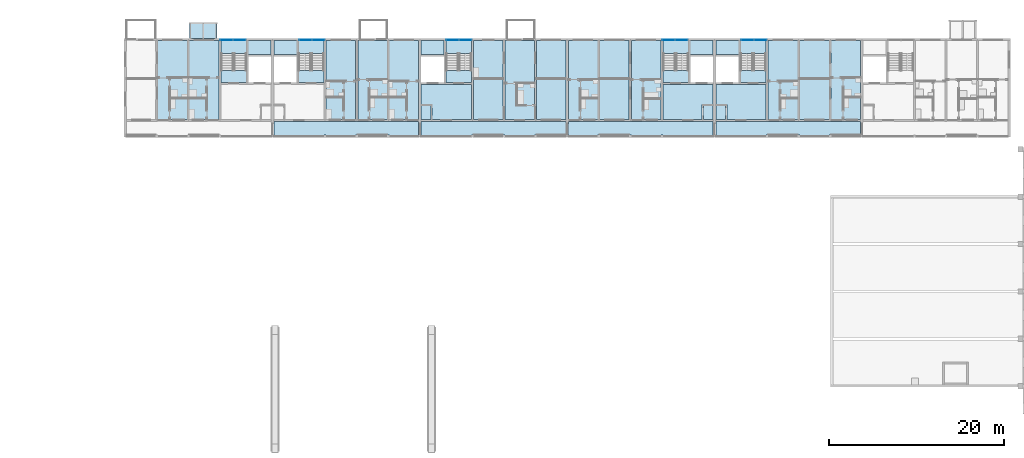
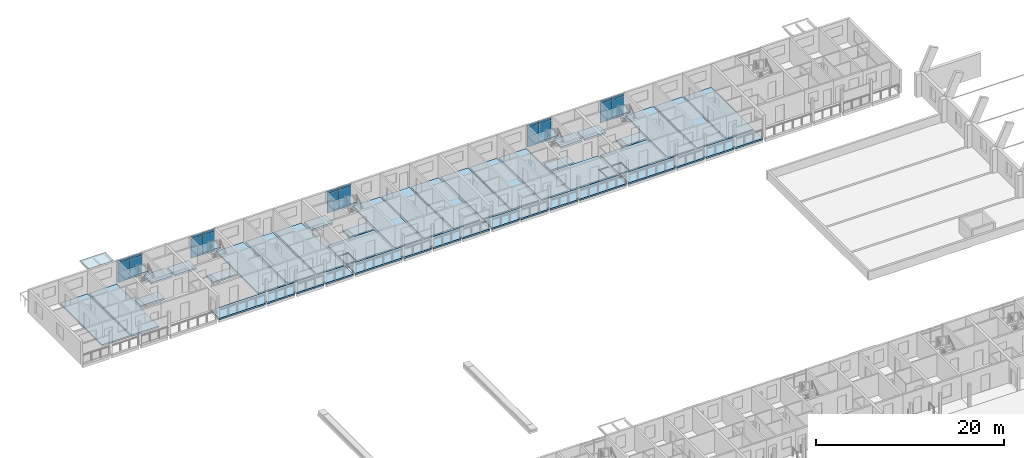
# One storey, part 33 of 115: 40 slabs, 20 plates, 10 elements without a shape of their own.
"""IFC4 building model written with IfcOpenShell, lengths in metres."""

from ifc_helpers import new_model, si_unit, direction, frame, origin, origin_2d, place, context, subcontext, project, spatial, polyline, rectangle, outline, extrude, material, layer, layer_set, type_object, element, aggregate, save


model = new_model("IFC4")

# Units and contexts
model_context = context("Model", 3, precision=1e-05, world=origin(), true_north=direction((0.0, 1.0)))
body_context = subcontext(model_context, "Body", "Model", "MODEL_VIEW")
ifc_project = project(units=[si_unit("LENGTHUNIT", "METRE"), si_unit("AREAUNIT", "SQUARE_METRE"), si_unit("VOLUMEUNIT", "CUBIC_METRE"), si_unit("PLANEANGLEUNIT", "RADIAN"), si_unit("MASSUNIT", "GRAM", prefix="KILO")], contexts=[model_context])

# Site, building, storey
site_placement = place(None, origin())
site = spatial("IfcSite", under=ifc_project, at=site_placement, CompositionType="ELEMENT")
building_placement = place(site_placement, origin())
building = spatial("IfcBuilding", under=site, at=building_placement, Name="Ridgestep Commons", CompositionType="ELEMENT")
storey_placement = place(building_placement, frame((0.0, 0.0, 6.0)))
storey = spatial("IfcBuildingStorey", under=building, at=storey_placement, Name="L02", CompositionType="ELEMENT", Elevation=6.0)

# Slabs
ifc_material_1 = material(Name="Precast concrete C40/50", Category="concrete")
ifc_layer_1 = layer(ifc_material_1, 0.199951171875)
ifc_layer_set_1 = layer_set([ifc_layer_1], Name="Gallery slab 200")
slab_type_1 = type_object("IfcSlabType", Name="Gallery slab 200", PredefinedType="FLOOR", material=ifc_layer_set_1)
slab_1_placement = place(storey_placement, frame((0.0, 0.0, -0.199951171875)))
element("IfcSlab", 1, at=slab_1_placement, inside=storey, type_object=slab_type_1, Name="Gallery slab B2 L02", PredefinedType="FLOOR", context=body_context, shape_type="SweptSolid", body=[
    extrude(outline(polyline([(45.449951171875, 67.800048828125), (28.949951171875, 67.800048828125), (28.949951171875, 66.0), (34.675048828125, 66.0), (34.675048828125, 66.25), (34.925048828125, 66.25), (34.925048828125, 66.0), (38.27490234375, 66.0), (38.27490234375, 66.25), (38.52490234375, 66.25), (38.52490234375, 66.0), (41.875, 66.0), (41.875, 66.25), (42.125, 66.25), (42.125, 66.0), (45.449951171875, 66.0), (45.449951171875, 67.800048828125)])), origin(), (0.0, 0.0, 1.0), 0.199951171875),
])
slab_2_placement = place(storey_placement, frame((0.0, 0.0, -0.199951171875)))
element("IfcSlab", 2, at=slab_2_placement, inside=storey, type_object=slab_type_1, Name="Gallery slab B3 L02", PredefinedType="FLOOR", context=body_context, shape_type="SweptSolid", body=[
    extrude(outline(polyline([(62.25, 67.800048828125), (45.75, 67.800048828125), (45.75, 66.0), (51.47509765625, 66.0), (51.47509765625, 66.25), (51.72509765625, 66.25), (51.72509765625, 66.0), (55.074951171875, 66.0), (55.074951171875, 66.25), (55.324951171875, 66.25), (55.324951171875, 66.0), (58.675048828125, 66.0), (58.675048828125, 66.25), (58.925048828125, 66.25), (58.925048828125, 66.0), (62.25, 66.0), (62.25, 67.800048828125)])), origin(), (0.0, 0.0, 1.0), 0.199951171875),
])
slab_3_placement = place(storey_placement, frame((0.0, 0.0, -0.199951171875)))
element("IfcSlab", 3, at=slab_3_placement, inside=storey, type_object=slab_type_1, Name="Gallery slab B4 L02", PredefinedType="FLOOR", context=body_context, shape_type="SweptSolid", body=[
    extrude(outline(polyline([(79.050048828125, 67.800048828125), (62.550048828125, 67.800048828125), (62.550048828125, 66.0), (65.875, 66.0), (65.875, 66.25), (66.125, 66.25), (66.125, 66.0), (69.47509765625, 66.0), (69.47509765625, 66.25), (69.72509765625, 66.25), (69.72509765625, 66.0), (73.074951171875, 66.0), (73.074951171875, 66.25), (73.324951171875, 66.25), (73.324951171875, 66.0), (79.050048828125, 66.0), (79.050048828125, 67.800048828125)])), origin(), (0.0, 0.0, 1.0), 0.199951171875),
])
slab_4_placement = place(storey_placement, frame((0.0, 0.0, -0.199951171875)))
element("IfcSlab", 4, at=slab_4_placement, inside=storey, type_object=slab_type_1, Name="Gallery slab B5 L02", PredefinedType="FLOOR", context=body_context, shape_type="SweptSolid", body=[
    extrude(outline(polyline([(95.85009765625, 67.800048828125), (79.35009765625, 67.800048828125), (79.35009765625, 66.0), (85.074951171875, 66.0), (85.074951171875, 66.25), (85.324951171875, 66.25), (85.324951171875, 66.0), (88.675048828125, 66.0), (88.675048828125, 66.25), (88.925048828125, 66.25), (88.925048828125, 66.0), (92.27490234375, 66.0), (92.27490234375, 66.25), (92.52490234375, 66.25), (92.52490234375, 66.0), (95.85009765625, 66.0), (95.85009765625, 67.800048828125)])), origin(), (0.0, 0.0, 1.0), 0.199951171875),
])

# Curtain wall, plates
ifc_material_2 = material(Name="Aluminium 6063-T6 and glass", Category="aluminium")
curtain_wall_type = type_object("IfcCurtainWallType", Name="Curtain wall stair strip", PredefinedType="NOTDEFINED", material=ifc_material_2)
curtain_wall_1_placement = place(storey_placement, origin())
curtain_wall_1 = element("IfcCurtainWall", 5, at=curtain_wall_1_placement, inside=storey, type_object=curtain_wall_type, Name="Curtain wall B1C level 02", PredefinedType="NOTDEFINED")
ifc_material_3 = material(Name="Glass laminated 6/16/6 low-emissivity", Category="glass")
ifc_layer_2 = layer(ifc_material_3, 0.028076171875)
ifc_layer_set_2 = layer_set([ifc_layer_2], Name="Glazing panel 28")
plate_type_1 = type_object("IfcPlateType", Name="Glazing panel 28", PredefinedType="CURTAIN_PANEL", material=ifc_layer_set_2)
plate_1_placement = place(storey_placement, frame((23.5712890625, 77.080078125, 0.06005859375), z_axis=(0.0, 0.0, 1.0), x_axis=(1.0, 0.0, 0.0)))
plate_1 = element("IfcPlate", 6, at=plate_1_placement, type_object=plate_type_1, Name="CW1 panel 1.1", PredefinedType="CURTAIN_PANEL", context=body_context, shape_type="SweptSolid", body=[
    extrude(rectangle(XDim=1.422607421875, YDim=0.028076171875, at=origin_2d()), origin(), (0.0, 0.0, 1.0), 2.5),
])
plate_2_placement = place(storey_placement, frame((25.0537109375, 77.080078125, 0.06005859375), z_axis=(0.0, 0.0, 1.0), x_axis=(1.0, 0.0, 0.0)))
plate_2 = element("IfcPlate", 7, at=plate_2_placement, type_object=plate_type_1, Name="CW1 panel 2.1", PredefinedType="CURTAIN_PANEL", context=body_context, shape_type="SweptSolid", body=[
    extrude(rectangle(XDim=1.422607421875, YDim=0.028076171875, at=origin_2d()), origin(), (0.0, 0.0, 1.0), 2.5),
])

curtain_wall_2_placement = place(storey_placement, origin())
curtain_wall_2 = element("IfcCurtainWall", 8, at=curtain_wall_2_placement, inside=storey, type_object=curtain_wall_type, Name="Curtain wall B2C level 02", PredefinedType="NOTDEFINED")
plate_3_placement = place(storey_placement, frame((32.546142578125, 77.080078125, 0.06005859375), z_axis=(0.0, 0.0, 1.0), x_axis=(1.0, 0.0, 0.0)))
plate_3 = element("IfcPlate", 9, at=plate_3_placement, type_object=plate_type_1, Name="CW1 panel 1.1", PredefinedType="CURTAIN_PANEL", context=body_context, shape_type="SweptSolid", body=[
    extrude(rectangle(XDim=1.422607421875, YDim=0.028076171875, at=origin_2d()), origin(), (0.0, 0.0, 1.0), 2.5),
])
plate_4_placement = place(storey_placement, frame((34.02880859375, 77.080078125, 0.06005859375), z_axis=(0.0, 0.0, 1.0), x_axis=(1.0, 0.0, 0.0)))
plate_4 = element("IfcPlate", 10, at=plate_4_placement, type_object=plate_type_1, Name="CW1 panel 2.1", PredefinedType="CURTAIN_PANEL", context=body_context, shape_type="SweptSolid", body=[
    extrude(rectangle(XDim=1.422607421875, YDim=0.028076171875, at=origin_2d()), origin(), (0.0, 0.0, 1.0), 2.5),
])

curtain_wall_3_placement = place(storey_placement, origin())
curtain_wall_3 = element("IfcCurtainWall", 11, at=curtain_wall_3_placement, inside=storey, type_object=curtain_wall_type, Name="Curtain wall B3C level 02", PredefinedType="NOTDEFINED")
plate_5_placement = place(storey_placement, frame((49.34619140625, 77.080078125, 0.06005859375), z_axis=(0.0, 0.0, 1.0), x_axis=(1.0, 0.0, 0.0)))
plate_5 = element("IfcPlate", 12, at=plate_5_placement, type_object=plate_type_1, Name="CW1 panel 1.1", PredefinedType="CURTAIN_PANEL", context=body_context, shape_type="SweptSolid", body=[
    extrude(rectangle(XDim=1.422607421875, YDim=0.028076171875, at=origin_2d()), origin(), (0.0, 0.0, 1.0), 2.5),
])
plate_6_placement = place(storey_placement, frame((50.828857421875, 77.080078125, 0.06005859375), z_axis=(0.0, 0.0, 1.0), x_axis=(1.0, 0.0, 0.0)))
plate_6 = element("IfcPlate", 13, at=plate_6_placement, type_object=plate_type_1, Name="CW1 panel 2.1", PredefinedType="CURTAIN_PANEL", context=body_context, shape_type="SweptSolid", body=[
    extrude(rectangle(XDim=1.422607421875, YDim=0.028076171875, at=origin_2d()), origin(), (0.0, 0.0, 1.0), 2.5),
])

curtain_wall_4_placement = place(storey_placement, origin())
curtain_wall_4 = element("IfcCurtainWall", 14, at=curtain_wall_4_placement, inside=storey, type_object=curtain_wall_type, Name="Curtain wall B4C level 02", PredefinedType="NOTDEFINED")
plate_7_placement = place(storey_placement, frame((73.97119140625, 77.080078125, 0.06005859375), z_axis=(0.0, 0.0, 1.0), x_axis=(1.0, 0.0, 0.0)))
plate_7 = element("IfcPlate", 15, at=plate_7_placement, type_object=plate_type_1, Name="CW1 panel 1.1", PredefinedType="CURTAIN_PANEL", context=body_context, shape_type="SweptSolid", body=[
    extrude(rectangle(XDim=1.422607421875, YDim=0.028076171875, at=origin_2d()), origin(), (0.0, 0.0, 1.0), 2.5),
])
plate_8_placement = place(storey_placement, frame((75.453857421875, 77.080078125, 0.06005859375), z_axis=(0.0, 0.0, 1.0), x_axis=(1.0, 0.0, 0.0)))
plate_8 = element("IfcPlate", 16, at=plate_8_placement, type_object=plate_type_1, Name="CW1 panel 2.1", PredefinedType="CURTAIN_PANEL", context=body_context, shape_type="SweptSolid", body=[
    extrude(rectangle(XDim=1.422607421875, YDim=0.028076171875, at=origin_2d()), origin(), (0.0, 0.0, 1.0), 2.5),
])

curtain_wall_5_placement = place(storey_placement, origin())
curtain_wall_5 = element("IfcCurtainWall", 17, at=curtain_wall_5_placement, inside=storey, type_object=curtain_wall_type, Name="Curtain wall B5C level 02", PredefinedType="NOTDEFINED")
plate_9_placement = place(storey_placement, frame((82.9462890625, 77.080078125, 0.06005859375), z_axis=(0.0, 0.0, 1.0), x_axis=(1.0, 0.0, 0.0)))
plate_9 = element("IfcPlate", 18, at=plate_9_placement, type_object=plate_type_1, Name="CW1 panel 1.1", PredefinedType="CURTAIN_PANEL", context=body_context, shape_type="SweptSolid", body=[
    extrude(rectangle(XDim=1.422607421875, YDim=0.028076171875, at=origin_2d()), origin(), (0.0, 0.0, 1.0), 2.5),
])
plate_10_placement = place(storey_placement, frame((84.4287109375, 77.080078125, 0.06005859375), z_axis=(0.0, 0.0, 1.0), x_axis=(1.0, 0.0, 0.0)))
plate_10 = element("IfcPlate", 19, at=plate_10_placement, type_object=plate_type_1, Name="CW1 panel 2.1", PredefinedType="CURTAIN_PANEL", context=body_context, shape_type="SweptSolid", body=[
    extrude(rectangle(XDim=1.422607421875, YDim=0.028076171875, at=origin_2d()), origin(), (0.0, 0.0, 1.0), 2.5),
])

# Slabs
ifc_material_4 = material(Name="Precast concrete C50/60", Category="concrete")
ifc_layer_3 = layer(ifc_material_4, 0.199951171875)
ifc_layer_set_3 = layer_set([ifc_layer_3], Name="Hollow-core plank 200")
slab_type_2 = type_object("IfcSlabType", Name="Hollow-core plank 200", PredefinedType="FLOOR", material=ifc_layer_set_3)
slab_5_placement = place(storey_placement, frame((0.0, 0.0, -0.199951171875)))
element("IfcSlab", 20, at=slab_5_placement, inside=storey, type_object=slab_type_2, Name="Floor plank B1T2 L02", PredefinedType="FLOOR", context=body_context, shape_type="SweptSolid", body=[
    extrude(outline(polyline([(19.10009765625, 68.0), (19.10009765625, 77.0), (15.699951171875, 77.0), (15.699951171875, 68.0), (19.10009765625, 68.0)])), origin(), (0.0, 0.0, 1.0), 0.199951171875),
])
slab_6_placement = place(storey_placement, frame((0.0, 0.0, -0.199951171875)))
element("IfcSlab", 21, at=slab_6_placement, inside=storey, type_object=slab_type_2, Name="Floor plank B1T3 L02", PredefinedType="FLOOR", context=body_context, shape_type="SweptSolid", body=[
    extrude(outline(polyline([(22.675048828125, 68.0), (22.675048828125, 77.0), (19.300048828125, 77.0), (19.300048828125, 68.0), (22.675048828125, 68.0)])), origin(), (0.0, 0.0, 1.0), 0.199951171875),
])
slab_7_placement = place(storey_placement, frame((0.0, 0.0, -0.199951171875)))
element("IfcSlab", 22, at=slab_7_placement, inside=storey, type_object=slab_type_2, Name="Floor plank B2T3 L02", PredefinedType="FLOOR", context=body_context, shape_type="SweptSolid", body=[
    extrude(outline(polyline([(38.27490234375, 68.0), (38.27490234375, 77.0), (34.925048828125, 77.0), (34.925048828125, 68.0), (38.27490234375, 68.0)])), origin(), (0.0, 0.0, 1.0), 0.199951171875),
])
slab_8_placement = place(storey_placement, frame((0.0, 0.0, -0.199951171875)))
element("IfcSlab", 23, at=slab_8_placement, inside=storey, type_object=slab_type_2, Name="Floor plank B2T2 L02", PredefinedType="FLOOR", context=body_context, shape_type="SweptSolid", body=[
    extrude(outline(polyline([(41.89990234375, 68.0), (41.89990234375, 77.0), (38.52490234375, 77.0), (38.52490234375, 68.0), (41.89990234375, 68.0)])), origin(), (0.0, 0.0, 1.0), 0.199951171875),
])
slab_9_placement = place(storey_placement, frame((0.0, 0.0, -0.199951171875)))
element("IfcSlab", 24, at=slab_9_placement, inside=storey, type_object=slab_type_2, Name="Floor plank B2T1 L02", PredefinedType="FLOOR", context=body_context, shape_type="SweptSolid", body=[
    extrude(outline(polyline([(45.449951171875, 68.0), (45.449951171875, 77.0), (42.10009765625, 77.0), (42.10009765625, 68.0), (45.449951171875, 68.0)])), origin(), (0.0, 0.0, 1.0), 0.199951171875),
])
slab_10_placement = place(storey_placement, frame((0.0, 0.0, -0.199951171875)))
element("IfcSlab", 25, at=slab_10_placement, inside=storey, type_object=slab_type_2, Name="Floor plank B3T3 L02", PredefinedType="FLOOR", context=body_context, shape_type="SweptSolid", body=[
    extrude(outline(polyline([(55.10009765625, 68.0), (55.10009765625, 77.0), (51.72509765625, 77.0), (51.72509765625, 68.0), (55.10009765625, 68.0)])), origin(), (0.0, 0.0, 1.0), 0.199951171875),
])
slab_11_placement = place(storey_placement, frame((0.0, 0.0, -0.199951171875)))
element("IfcSlab", 26, at=slab_11_placement, inside=storey, type_object=slab_type_2, Name="Floor plank B3T2 L02", PredefinedType="FLOOR", context=body_context, shape_type="SweptSolid", body=[
    extrude(outline(polyline([(58.699951171875, 68.0), (58.699951171875, 77.0), (55.300048828125, 77.0), (55.300048828125, 68.0), (58.699951171875, 68.0)])), origin(), (0.0, 0.0, 1.0), 0.199951171875),
])
slab_12_placement = place(storey_placement, frame((0.0, 0.0, -0.199951171875)))
element("IfcSlab", 27, at=slab_12_placement, inside=storey, type_object=slab_type_2, Name="Floor plank B3T1 L02", PredefinedType="FLOOR", context=body_context, shape_type="SweptSolid", body=[
    extrude(outline(polyline([(62.25, 68.0), (62.25, 77.0), (58.89990234375, 77.0), (58.89990234375, 68.0), (62.25, 68.0)])), origin(), (0.0, 0.0, 1.0), 0.199951171875),
])
slab_13_placement = place(storey_placement, frame((0.0, 0.0, -0.199951171875)))
element("IfcSlab", 28, at=slab_13_placement, inside=storey, type_object=slab_type_2, Name="Floor plank B4T1 L02", PredefinedType="FLOOR", context=body_context, shape_type="SweptSolid", body=[
    extrude(outline(polyline([(65.89990234375, 68.0), (65.89990234375, 77.0), (62.550048828125, 77.0), (62.550048828125, 68.0), (65.89990234375, 68.0)])), origin(), (0.0, 0.0, 1.0), 0.199951171875),
])
slab_14_placement = place(storey_placement, frame((0.0, 0.0, -0.199951171875)))
element("IfcSlab", 29, at=slab_14_placement, inside=storey, type_object=slab_type_2, Name="Floor plank B4T2 L02", PredefinedType="FLOOR", context=body_context, shape_type="SweptSolid", body=[
    extrude(outline(polyline([(69.47509765625, 68.0), (69.47509765625, 77.0), (66.10009765625, 77.0), (66.10009765625, 68.0), (69.47509765625, 68.0)])), origin(), (0.0, 0.0, 1.0), 0.199951171875),
])
slab_15_placement = place(storey_placement, frame((0.0, 0.0, -0.199951171875)))
element("IfcSlab", 30, at=slab_15_placement, inside=storey, type_object=slab_type_2, Name="Floor plank B4T3 L02", PredefinedType="FLOOR", context=body_context, shape_type="SweptSolid", body=[
    extrude(outline(polyline([(73.074951171875, 68.0), (73.074951171875, 77.0), (69.72509765625, 77.0), (69.72509765625, 68.0), (73.074951171875, 68.0)])), origin(), (0.0, 0.0, 1.0), 0.199951171875),
])
slab_16_placement = place(storey_placement, frame((0.0, 0.0, -0.199951171875)))
element("IfcSlab", 31, at=slab_16_placement, inside=storey, type_object=slab_type_2, Name="Floor plank B5T3 L02", PredefinedType="FLOOR", context=body_context, shape_type="SweptSolid", body=[
    extrude(outline(polyline([(88.699951171875, 68.0), (88.699951171875, 77.0), (85.324951171875, 77.0), (85.324951171875, 68.0), (88.699951171875, 68.0)])), origin(), (0.0, 0.0, 1.0), 0.199951171875),
])
slab_17_placement = place(storey_placement, frame((0.0, 0.0, -0.199951171875)))
element("IfcSlab", 32, at=slab_17_placement, inside=storey, type_object=slab_type_2, Name="Floor plank B5T2 L02", PredefinedType="FLOOR", context=body_context, shape_type="SweptSolid", body=[
    extrude(outline(polyline([(92.300048828125, 68.0), (92.300048828125, 77.0), (88.89990234375, 77.0), (88.89990234375, 68.0), (92.300048828125, 68.0)])), origin(), (0.0, 0.0, 1.0), 0.199951171875),
])
slab_18_placement = place(storey_placement, frame((0.0, 0.0, -0.199951171875)))
element("IfcSlab", 33, at=slab_18_placement, inside=storey, type_object=slab_type_2, Name="Floor plank B5T1 L02", PredefinedType="FLOOR", context=body_context, shape_type="SweptSolid", body=[
    extrude(outline(polyline([(95.85009765625, 68.0), (95.85009765625, 77.0), (92.5, 77.0), (92.5, 68.0), (95.85009765625, 68.0)])), origin(), (0.0, 0.0, 1.0), 0.199951171875),
])
ifc_material_5 = material(Name="Precast concrete C50/60", Category="concrete")
ifc_layer_4 = layer(ifc_material_5, 0.25)
ifc_layer_set_4 = layer_set([ifc_layer_4], Name="Hollow-core plank 250")
slab_type_3 = type_object("IfcSlabType", Name="Hollow-core plank 250", PredefinedType="FLOOR", material=ifc_layer_set_4)
slab_19_placement = place(storey_placement, frame((0.0, 0.0, -0.25)))
element("IfcSlab", 34, at=slab_19_placement, inside=storey, type_object=slab_type_3, Name="Floor plank B1C L02", PredefinedType="FLOOR", context=body_context, shape_type="SweptSolid", body=[
    extrude(outline(polyline([(28.64990234375, 75.39990234375), (28.64990234375, 77.0), (26.02490234375, 77.0), (26.02490234375, 75.39990234375), (28.64990234375, 75.39990234375)])), origin(), (0.0, 0.0, 1.0), 0.25),
])
slab_20_placement = place(storey_placement, frame((0.0, 0.0, -0.25)))
element("IfcSlab", 35, at=slab_20_placement, inside=storey, type_object=slab_type_3, Name="Floor plank B1C L02", PredefinedType="FLOOR", context=body_context, shape_type="SweptSolid", body=[
    extrude(outline(polyline([(25.824951171875, 72.199951171875), (25.824951171875, 73.60009765625), (22.925048828125, 73.60009765625), (22.925048828125, 72.199951171875), (25.824951171875, 72.199951171875)])), origin(), (0.0, 0.0, 1.0), 0.25),
])
slab_21_placement = place(storey_placement, frame((0.0, 0.0, -0.25)))
element("IfcSlab", 36, at=slab_21_placement, inside=storey, type_object=slab_type_3, Name="Floor plank B2C L02", PredefinedType="FLOOR", context=body_context, shape_type="SweptSolid", body=[
    extrude(outline(polyline([(31.574951171875, 77.0), (28.949951171875, 77.0), (28.949951171875, 75.39990234375), (31.574951171875, 75.39990234375), (31.574951171875, 77.0)])), origin(), (0.0, 0.0, 1.0), 0.25),
])
slab_22_placement = place(storey_placement, frame((0.0, 0.0, -0.25)))
element("IfcSlab", 37, at=slab_22_placement, inside=storey, type_object=slab_type_3, Name="Floor plank B2C L02", PredefinedType="FLOOR", context=body_context, shape_type="SweptSolid", body=[
    extrude(outline(polyline([(34.675048828125, 72.199951171875), (34.675048828125, 73.60009765625), (31.77490234375, 73.60009765625), (31.77490234375, 72.199951171875), (34.675048828125, 72.199951171875)])), origin(), (0.0, 0.0, 1.0), 0.25),
])
slab_23_placement = place(storey_placement, frame((0.0, 0.0, -0.25)))
element("IfcSlab", 38, at=slab_23_placement, inside=storey, type_object=slab_type_3, Name="Floor plank B3C L02", PredefinedType="FLOOR", context=body_context, shape_type="SweptSolid", body=[
    extrude(outline(polyline([(47.0, 68.0), (51.47509765625, 68.0), (51.47509765625, 72.0), (45.75, 72.0), (45.75, 69.719970703125), (46.8798828125, 69.719970703125), (47.0, 69.719970703125), (47.0, 68.0)])), origin(), (0.0, 0.0, 1.0), 0.25),
])
slab_24_placement = place(storey_placement, frame((0.0, 0.0, -0.25)))
element("IfcSlab", 39, at=slab_24_placement, inside=storey, type_object=slab_type_3, Name="Floor plank B3C L02", PredefinedType="FLOOR", context=body_context, shape_type="SweptSolid", body=[
    extrude(outline(polyline([(48.375, 77.0), (45.75, 77.0), (45.75, 75.39990234375), (48.375, 75.39990234375), (48.375, 77.0)])), origin(), (0.0, 0.0, 1.0), 0.25),
])
slab_25_placement = place(storey_placement, frame((0.0, 0.0, -0.25)))
element("IfcSlab", 40, at=slab_25_placement, inside=storey, type_object=slab_type_3, Name="Floor plank B3C L02", PredefinedType="FLOOR", context=body_context, shape_type="SweptSolid", body=[
    extrude(outline(polyline([(51.47509765625, 72.199951171875), (51.47509765625, 73.60009765625), (48.574951171875, 73.60009765625), (48.574951171875, 72.199951171875), (51.47509765625, 72.199951171875)])), origin(), (0.0, 0.0, 1.0), 0.25),
])
slab_26_placement = place(storey_placement, frame((0.0, 0.0, -0.25)))
element("IfcSlab", 41, at=slab_26_placement, inside=storey, type_object=slab_type_3, Name="Floor plank B3C L02", PredefinedType="FLOOR", context=body_context, shape_type="SweptSolid", body=[
    extrude(outline(polyline([(46.8798828125, 69.60009765625), (45.75, 69.60009765625), (45.75, 68.0), (46.8798828125, 68.0), (46.8798828125, 69.60009765625)])), origin(), (0.0, 0.0, 1.0), 0.25),
])
slab_27_placement = place(storey_placement, frame((0.0, 0.0, -0.25)))
element("IfcSlab", 42, at=slab_27_placement, inside=storey, type_object=slab_type_3, Name="Floor plank B4C L02", PredefinedType="FLOOR", context=body_context, shape_type="SweptSolid", body=[
    extrude(outline(polyline([(77.919921875, 69.719970703125), (79.050048828125, 69.719970703125), (79.050048828125, 72.0), (73.324951171875, 72.0), (73.324951171875, 68.0), (77.800048828125, 68.0), (77.800048828125, 69.719970703125), (77.919921875, 69.719970703125)])), origin(), (0.0, 0.0, 1.0), 0.25),
])
slab_28_placement = place(storey_placement, frame((0.0, 0.0, -0.25)))
element("IfcSlab", 43, at=slab_28_placement, inside=storey, type_object=slab_type_3, Name="Floor plank B4C L02", PredefinedType="FLOOR", context=body_context, shape_type="SweptSolid", body=[
    extrude(outline(polyline([(79.050048828125, 75.39990234375), (79.050048828125, 77.0), (76.425048828125, 77.0), (76.425048828125, 75.39990234375), (79.050048828125, 75.39990234375)])), origin(), (0.0, 0.0, 1.0), 0.25),
])
slab_29_placement = place(storey_placement, frame((0.0, 0.0, -0.25)))
element("IfcSlab", 44, at=slab_29_placement, inside=storey, type_object=slab_type_3, Name="Floor plank B4C L02", PredefinedType="FLOOR", context=body_context, shape_type="SweptSolid", body=[
    extrude(outline(polyline([(76.22509765625, 72.199951171875), (76.22509765625, 73.60009765625), (73.324951171875, 73.60009765625), (73.324951171875, 72.199951171875), (76.22509765625, 72.199951171875)])), origin(), (0.0, 0.0, 1.0), 0.25),
])
slab_30_placement = place(storey_placement, frame((0.0, 0.0, -0.25)))
element("IfcSlab", 45, at=slab_30_placement, inside=storey, type_object=slab_type_3, Name="Floor plank B4C L02", PredefinedType="FLOOR", context=body_context, shape_type="SweptSolid", body=[
    extrude(outline(polyline([(77.919921875, 68.0), (79.050048828125, 68.0), (79.050048828125, 69.60009765625), (77.919921875, 69.60009765625), (77.919921875, 68.0)])), origin(), (0.0, 0.0, 1.0), 0.25),
])
slab_31_placement = place(storey_placement, frame((0.0, 0.0, -0.25)))
element("IfcSlab", 46, at=slab_31_placement, inside=storey, type_object=slab_type_3, Name="Floor plank B5C L02", PredefinedType="FLOOR", context=body_context, shape_type="SweptSolid", body=[
    extrude(outline(polyline([(80.60009765625, 68.0), (85.074951171875, 68.0), (85.074951171875, 72.0), (79.35009765625, 72.0), (79.35009765625, 69.719970703125), (80.47998046875, 69.719970703125), (80.60009765625, 69.719970703125), (80.60009765625, 68.0)])), origin(), (0.0, 0.0, 1.0), 0.25),
])
slab_32_placement = place(storey_placement, frame((0.0, 0.0, -0.25)))
element("IfcSlab", 47, at=slab_32_placement, inside=storey, type_object=slab_type_3, Name="Floor plank B5C L02", PredefinedType="FLOOR", context=body_context, shape_type="SweptSolid", body=[
    extrude(outline(polyline([(81.97509765625, 77.0), (79.35009765625, 77.0), (79.35009765625, 75.39990234375), (81.97509765625, 75.39990234375), (81.97509765625, 77.0)])), origin(), (0.0, 0.0, 1.0), 0.25),
])
slab_33_placement = place(storey_placement, frame((0.0, 0.0, -0.25)))
element("IfcSlab", 48, at=slab_33_placement, inside=storey, type_object=slab_type_3, Name="Floor plank B5C L02", PredefinedType="FLOOR", context=body_context, shape_type="SweptSolid", body=[
    extrude(outline(polyline([(85.074951171875, 72.199951171875), (85.074951171875, 73.60009765625), (82.175048828125, 73.60009765625), (82.175048828125, 72.199951171875), (85.074951171875, 72.199951171875)])), origin(), (0.0, 0.0, 1.0), 0.25),
])
slab_34_placement = place(storey_placement, frame((0.0, 0.0, -0.25)))
element("IfcSlab", 49, at=slab_34_placement, inside=storey, type_object=slab_type_3, Name="Floor plank B5C L02", PredefinedType="FLOOR", context=body_context, shape_type="SweptSolid", body=[
    extrude(outline(polyline([(80.47998046875, 69.60009765625), (79.35009765625, 69.60009765625), (79.35009765625, 68.0), (80.47998046875, 68.0), (80.47998046875, 69.60009765625)])), origin(), (0.0, 0.0, 1.0), 0.25),
])

# Plate
ifc_material_6 = material(Name="Aluminium 6063-T6 and mineral wool", Category="aluminium")
ifc_layer_5 = layer(ifc_material_6, 0.0400390625)
ifc_layer_set_5 = layer_set([ifc_layer_5], Name="Spandrel panel 40")
plate_type_2 = type_object("IfcPlateType", Name="Spandrel panel 40", PredefinedType="CURTAIN_PANEL", material=ifc_layer_set_5)
plate_11_placement = place(storey_placement, frame((23.5712890625, 77.080078125, 2.6201171875), z_axis=(0.0, 0.0, 1.0), x_axis=(1.0, 0.0, 0.0)))
plate_11 = element("IfcPlate", 50, at=plate_11_placement, type_object=plate_type_2, Name="CW1 panel 1.2", PredefinedType="CURTAIN_PANEL", context=body_context, shape_type="SweptSolid", body=[
    extrude(rectangle(XDim=1.422607421875, YDim=0.0400390625, at=origin_2d()), origin(), (0.0, 0.0, 1.0), 0.320068359375),
])

plate_12_placement = place(storey_placement, frame((25.0537109375, 77.080078125, 2.6201171875), z_axis=(0.0, 0.0, 1.0), x_axis=(1.0, 0.0, 0.0)))
plate_12 = element("IfcPlate", 51, at=plate_12_placement, type_object=plate_type_2, Name="CW1 panel 2.2", PredefinedType="CURTAIN_PANEL", context=body_context, shape_type="SweptSolid", body=[
    extrude(rectangle(XDim=1.422607421875, YDim=0.0400390625, at=origin_2d()), origin(), (0.0, 0.0, 1.0), 0.320068359375),
])

aggregate(curtain_wall_1, [plate_1, plate_11, plate_2, plate_12])

plate_13_placement = place(storey_placement, frame((32.546142578125, 77.080078125, 2.6201171875), z_axis=(0.0, 0.0, 1.0), x_axis=(1.0, 0.0, 0.0)))
plate_13 = element("IfcPlate", 52, at=plate_13_placement, type_object=plate_type_2, Name="CW1 panel 1.2", PredefinedType="CURTAIN_PANEL", context=body_context, shape_type="SweptSolid", body=[
    extrude(rectangle(XDim=1.422607421875, YDim=0.0400390625, at=origin_2d()), origin(), (0.0, 0.0, 1.0), 0.320068359375),
])

plate_14_placement = place(storey_placement, frame((34.02880859375, 77.080078125, 2.6201171875), z_axis=(0.0, 0.0, 1.0), x_axis=(1.0, 0.0, 0.0)))
plate_14 = element("IfcPlate", 53, at=plate_14_placement, type_object=plate_type_2, Name="CW1 panel 2.2", PredefinedType="CURTAIN_PANEL", context=body_context, shape_type="SweptSolid", body=[
    extrude(rectangle(XDim=1.422607421875, YDim=0.0400390625, at=origin_2d()), origin(), (0.0, 0.0, 1.0), 0.320068359375),
])

aggregate(curtain_wall_2, [plate_3, plate_13, plate_4, plate_14])

plate_15_placement = place(storey_placement, frame((49.34619140625, 77.080078125, 2.6201171875), z_axis=(0.0, 0.0, 1.0), x_axis=(1.0, 0.0, 0.0)))
plate_15 = element("IfcPlate", 54, at=plate_15_placement, type_object=plate_type_2, Name="CW1 panel 1.2", PredefinedType="CURTAIN_PANEL", context=body_context, shape_type="SweptSolid", body=[
    extrude(rectangle(XDim=1.422607421875, YDim=0.0400390625, at=origin_2d()), origin(), (0.0, 0.0, 1.0), 0.320068359375),
])

plate_16_placement = place(storey_placement, frame((50.828857421875, 77.080078125, 2.6201171875), z_axis=(0.0, 0.0, 1.0), x_axis=(1.0, 0.0, 0.0)))
plate_16 = element("IfcPlate", 55, at=plate_16_placement, type_object=plate_type_2, Name="CW1 panel 2.2", PredefinedType="CURTAIN_PANEL", context=body_context, shape_type="SweptSolid", body=[
    extrude(rectangle(XDim=1.422607421875, YDim=0.0400390625, at=origin_2d()), origin(), (0.0, 0.0, 1.0), 0.320068359375),
])

aggregate(curtain_wall_3, [plate_5, plate_15, plate_6, plate_16])

plate_17_placement = place(storey_placement, frame((73.97119140625, 77.080078125, 2.6201171875), z_axis=(0.0, 0.0, 1.0), x_axis=(1.0, 0.0, 0.0)))
plate_17 = element("IfcPlate", 56, at=plate_17_placement, type_object=plate_type_2, Name="CW1 panel 1.2", PredefinedType="CURTAIN_PANEL", context=body_context, shape_type="SweptSolid", body=[
    extrude(rectangle(XDim=1.422607421875, YDim=0.0400390625, at=origin_2d()), origin(), (0.0, 0.0, 1.0), 0.320068359375),
])

plate_18_placement = place(storey_placement, frame((75.453857421875, 77.080078125, 2.6201171875), z_axis=(0.0, 0.0, 1.0), x_axis=(1.0, 0.0, 0.0)))
plate_18 = element("IfcPlate", 57, at=plate_18_placement, type_object=plate_type_2, Name="CW1 panel 2.2", PredefinedType="CURTAIN_PANEL", context=body_context, shape_type="SweptSolid", body=[
    extrude(rectangle(XDim=1.422607421875, YDim=0.0400390625, at=origin_2d()), origin(), (0.0, 0.0, 1.0), 0.320068359375),
])

aggregate(curtain_wall_4, [plate_7, plate_17, plate_8, plate_18])

plate_19_placement = place(storey_placement, frame((82.9462890625, 77.080078125, 2.6201171875), z_axis=(0.0, 0.0, 1.0), x_axis=(1.0, 0.0, 0.0)))
plate_19 = element("IfcPlate", 58, at=plate_19_placement, type_object=plate_type_2, Name="CW1 panel 1.2", PredefinedType="CURTAIN_PANEL", context=body_context, shape_type="SweptSolid", body=[
    extrude(rectangle(XDim=1.422607421875, YDim=0.0400390625, at=origin_2d()), origin(), (0.0, 0.0, 1.0), 0.320068359375),
])

plate_20_placement = place(storey_placement, frame((84.4287109375, 77.080078125, 2.6201171875), z_axis=(0.0, 0.0, 1.0), x_axis=(1.0, 0.0, 0.0)))
plate_20 = element("IfcPlate", 59, at=plate_20_placement, type_object=plate_type_2, Name="CW1 panel 2.2", PredefinedType="CURTAIN_PANEL", context=body_context, shape_type="SweptSolid", body=[
    extrude(rectangle(XDim=1.422607421875, YDim=0.0400390625, at=origin_2d()), origin(), (0.0, 0.0, 1.0), 0.320068359375),
])

aggregate(curtain_wall_5, [plate_9, plate_19, plate_10, plate_20])

# Stair, slab
ifc_material_7 = material(Name="Precast concrete C40/50", Category="concrete")
stair_type = type_object("IfcStairType", Name="Escape stair 1400", PredefinedType="HALF_TURN_STAIR", material=ifc_material_7)
stair_1_placement = place(storey_placement, origin())
stair_1 = element("IfcStair", 60, at=stair_1_placement, inside=storey, type_object=stair_type, Name="L02 Escape stair B1C", PredefinedType="HALF_TURN_STAIR")
ifc_material_8 = material(Name="Precast concrete C40/50", Category="concrete")
ifc_layer_6 = layer(ifc_material_8, 0.199951171875)
ifc_layer_set_6 = layer_set([ifc_layer_6], Name="Stair landing 200")
slab_type_4 = type_object("IfcSlabType", Name="Stair landing 200", PredefinedType="LANDING", material=ifc_layer_set_6)
slab_35_placement = place(storey_placement, frame((0.0, 0.0, 1.300048828125)))
slab_35 = element("IfcSlab", 61, at=slab_35_placement, type_object=slab_type_4, Name="B1C landing 1", PredefinedType="LANDING", context=body_context, shape_type="SweptSolid", body=[
    extrude(outline(polyline([(25.824951171875, 75.56005859375), (25.824951171875, 77.0), (22.925048828125, 77.0), (22.925048828125, 75.56005859375), (25.824951171875, 75.56005859375)])), origin(), (0.0, 0.0, 1.0), 0.199951171875),
])
aggregate(stair_1, [slab_35])

stair_2_placement = place(storey_placement, origin())
stair_2 = element("IfcStair", 62, at=stair_2_placement, inside=storey, type_object=stair_type, Name="L02 Escape stair B2C", PredefinedType="HALF_TURN_STAIR")
slab_36_placement = place(storey_placement, frame((0.0, 0.0, 1.300048828125)))
slab_36 = element("IfcSlab", 63, at=slab_36_placement, type_object=slab_type_4, Name="B2C landing 1", PredefinedType="LANDING", context=body_context, shape_type="SweptSolid", body=[
    extrude(outline(polyline([(34.675048828125, 75.56005859375), (34.675048828125, 77.0), (31.77490234375, 77.0), (31.77490234375, 75.56005859375), (34.675048828125, 75.56005859375)])), origin(), (0.0, 0.0, 1.0), 0.199951171875),
])
aggregate(stair_2, [slab_36])

stair_3_placement = place(storey_placement, origin())
stair_3 = element("IfcStair", 64, at=stair_3_placement, inside=storey, type_object=stair_type, Name="L02 Escape stair B3C", PredefinedType="HALF_TURN_STAIR")
slab_37_placement = place(storey_placement, frame((0.0, 0.0, 1.300048828125)))
slab_37 = element("IfcSlab", 65, at=slab_37_placement, type_object=slab_type_4, Name="B3C landing 1", PredefinedType="LANDING", context=body_context, shape_type="SweptSolid", body=[
    extrude(outline(polyline([(51.47509765625, 75.56005859375), (51.47509765625, 77.0), (48.574951171875, 77.0), (48.574951171875, 75.56005859375), (51.47509765625, 75.56005859375)])), origin(), (0.0, 0.0, 1.0), 0.199951171875),
])
aggregate(stair_3, [slab_37])

stair_4_placement = place(storey_placement, origin())
stair_4 = element("IfcStair", 66, at=stair_4_placement, inside=storey, type_object=stair_type, Name="L02 Escape stair B4C", PredefinedType="HALF_TURN_STAIR")
slab_38_placement = place(storey_placement, frame((0.0, 0.0, 1.300048828125)))
slab_38 = element("IfcSlab", 67, at=slab_38_placement, type_object=slab_type_4, Name="B4C landing 1", PredefinedType="LANDING", context=body_context, shape_type="SweptSolid", body=[
    extrude(outline(polyline([(76.22509765625, 75.56005859375), (76.22509765625, 77.0), (73.324951171875, 77.0), (73.324951171875, 75.56005859375), (76.22509765625, 75.56005859375)])), origin(), (0.0, 0.0, 1.0), 0.199951171875),
])
aggregate(stair_4, [slab_38])

stair_5_placement = place(storey_placement, origin())
stair_5 = element("IfcStair", 68, at=stair_5_placement, inside=storey, type_object=stair_type, Name="L02 Escape stair B5C", PredefinedType="HALF_TURN_STAIR")
slab_39_placement = place(storey_placement, frame((0.0, 0.0, 1.300048828125)))
slab_39 = element("IfcSlab", 69, at=slab_39_placement, type_object=slab_type_4, Name="B5C landing 1", PredefinedType="LANDING", context=body_context, shape_type="SweptSolid", body=[
    extrude(outline(polyline([(85.074951171875, 75.56005859375), (85.074951171875, 77.0), (82.175048828125, 77.0), (82.175048828125, 75.56005859375), (85.074951171875, 75.56005859375)])), origin(), (0.0, 0.0, 1.0), 0.199951171875),
])
aggregate(stair_5, [slab_39])

# Slab
ifc_material_9 = material(Name="Weathering steel S355J2W", Category="steel")
ifc_layer_7 = layer(ifc_material_9, 0.010009765625)
ifc_layer_set_7 = layer_set([ifc_layer_7], Name="Tray 3.2 x 1.8")
slab_type_5 = type_object("IfcSlabType", Name="Tray 3.2 x 1.8", PredefinedType="FLOOR", material=ifc_layer_set_7)
slab_40_placement = place(storey_placement, frame((0.0, 0.0, 2.989990234375)))
element("IfcSlab", 70, at=slab_40_placement, inside=storey, type_object=slab_type_5, Name="Tray deck B1T3-03", PredefinedType="FLOOR", context=body_context, shape_type="SweptSolid", body=[
    extrude(outline(polyline([(19.330078125, 77.25), (22.469970703125, 77.25), (22.469970703125, 79.050048828125), (19.330078125, 79.050048828125), (19.330078125, 77.25)])), origin(), (0.0, 0.0, 1.0), 0.010009765625),
])

save(model, "model.ifc")
